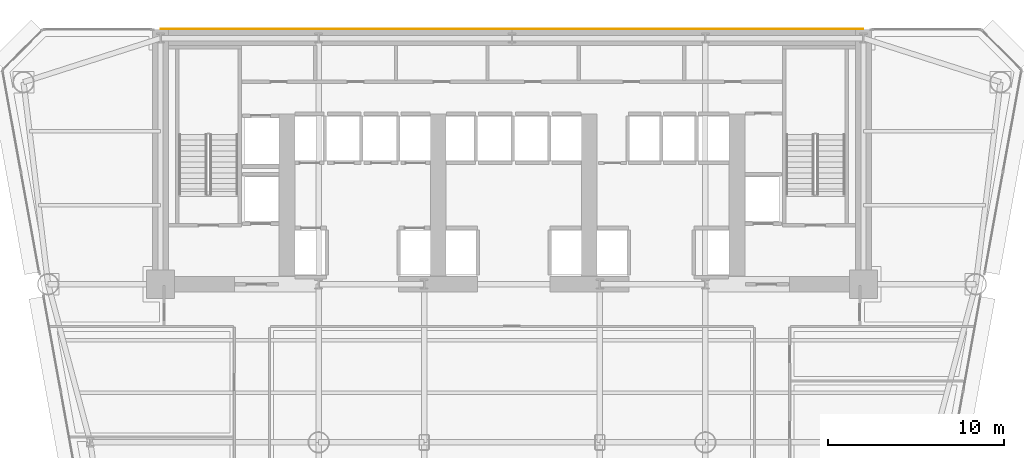
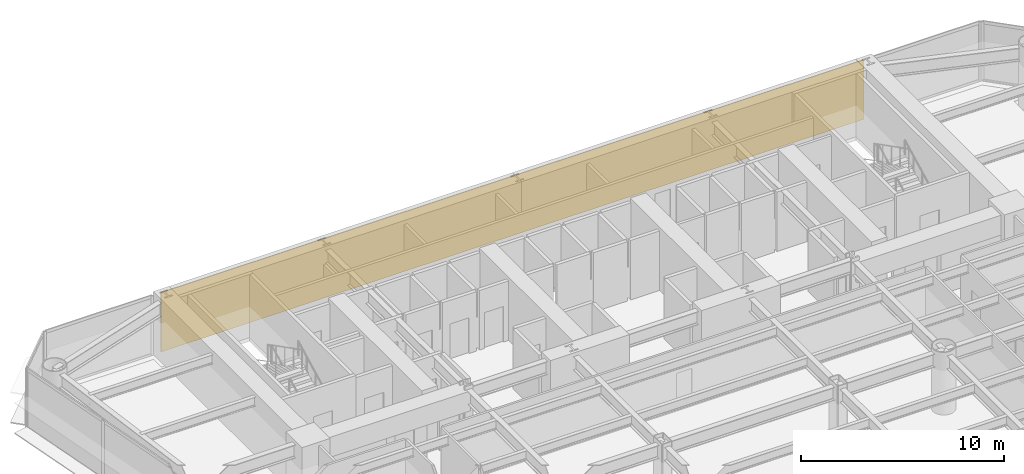
# One storey, part 13 of 14: 1 covering.
"""IFC4 building model written with IfcOpenShell, lengths in metres."""

from ifc_helpers import new_model, si_unit, direction, frame, origin, place, context, subcontext, project, spatial, polyline, outline, extrude, material, layer, layer_set, type_object, element, save


model = new_model("IFC4")

# Units and contexts
model_context = context("Model", 3, precision=1e-05, world=origin(), true_north=direction((0.0, 1.0)))
body_context = subcontext(model_context, "Body", "Model", "MODEL_VIEW")
ifc_project = project(units=[si_unit("LENGTHUNIT", "METRE"), si_unit("AREAUNIT", "SQUARE_METRE"), si_unit("VOLUMEUNIT", "CUBIC_METRE"), si_unit("PLANEANGLEUNIT", "RADIAN"), si_unit("MASSUNIT", "GRAM", prefix="KILO")], contexts=[model_context])

# Site, building, storey
site_placement = place(None, origin())
site = spatial("IfcSite", under=ifc_project, at=site_placement, CompositionType="ELEMENT")
building_placement = place(site_placement, origin())
building = spatial("IfcBuilding", under=site, at=building_placement, Name="Vaeldorn Concourse Tower", CompositionType="ELEMENT")
storey_placement = place(building_placement, frame((0.0, 0.0, 34.0)))
storey = spatial("IfcBuildingStorey", under=building, at=storey_placement, Name="L08", CompositionType="ELEMENT", Elevation=34.0)

# Covering
ifc_material = material(Name="Anodised Bronze Aluminium", Category="aluminium")
ifc_layer = layer(ifc_material, 0.050048828125)
ifc_layer_set = layer_set([ifc_layer], Name="Anodised Bronze Aluminium")
covering_type = type_object("IfcCoveringType", Name="COV-CLAD-BRONZE", PredefinedType="CLADDING", material=ifc_layer_set)
covering_placement = place(storey_placement, origin())
element("IfcCovering", 1, at=covering_placement, inside=storey, type_object=covering_type, Name="Rear Core Bronze Spandrel Cladding L08", PredefinedType="CLADDING", context=body_context, shape_type="SweptSolid", body=[
    extrude(outline(polyline([(14.0, 51.0), (54.0, 51.0), (54.0, 51.050048828125), (14.0, 51.050048828125), (14.0, 51.0)])), origin(), (0.0, 0.0, 1.0), 3.580078125),
])

save(model, "model.ifc")
